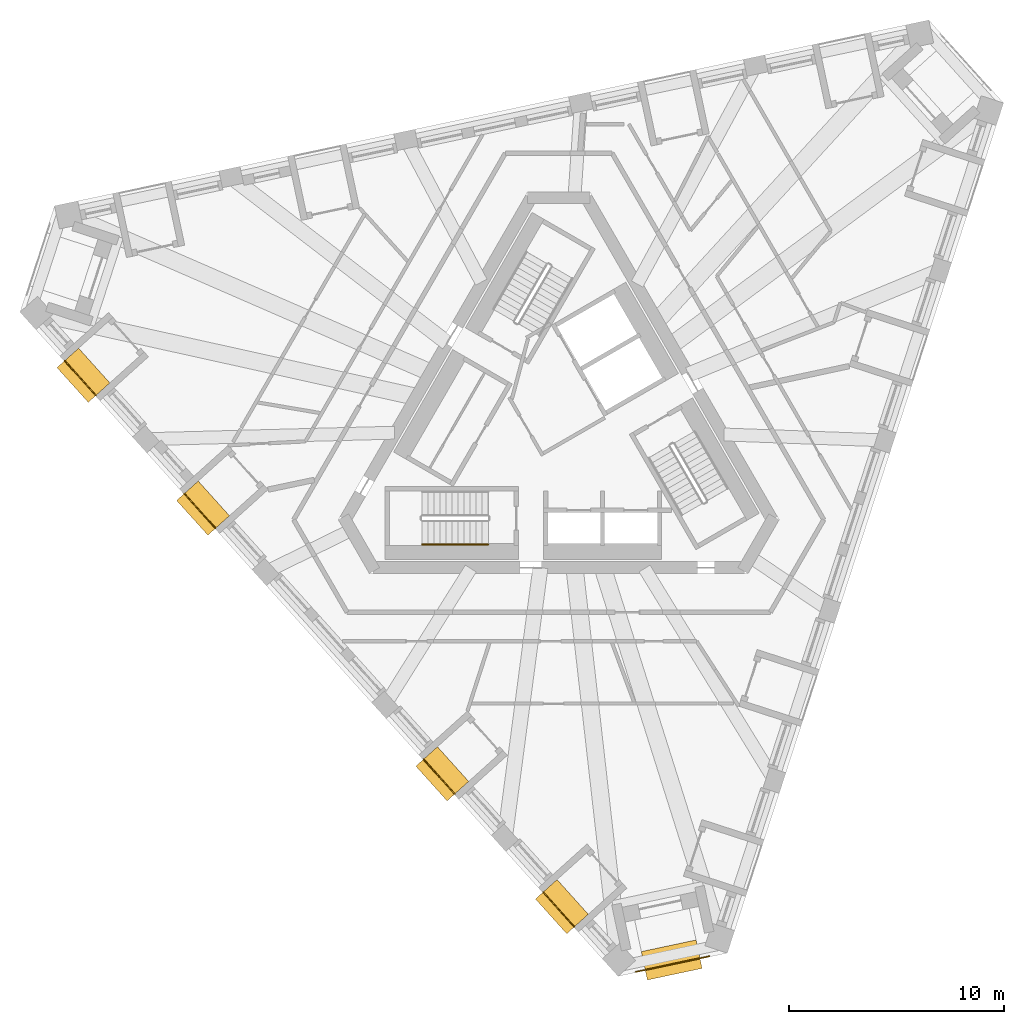
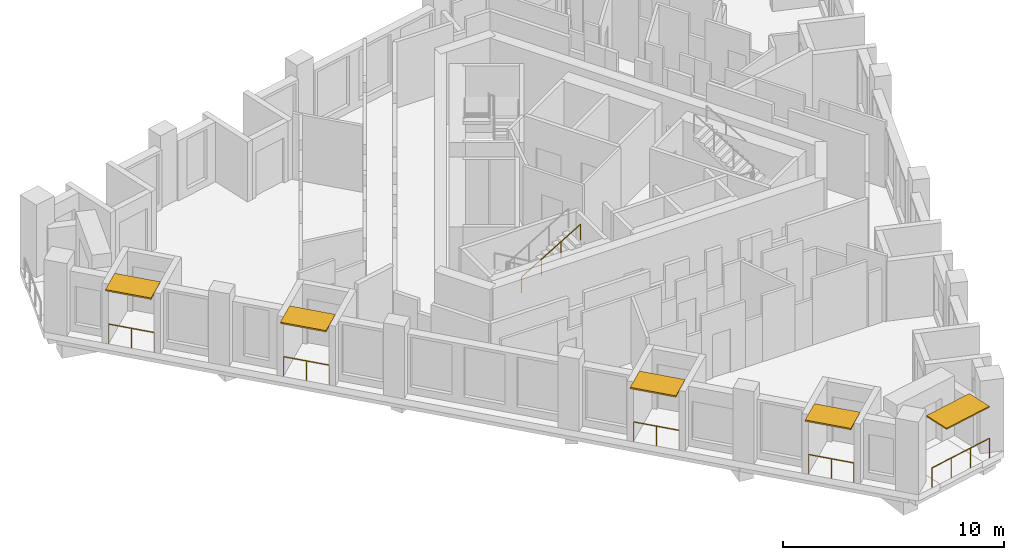
# One storey, part 9 of 12: 6 railings, 5 shading devices.
"""IFC4 building model written with IfcOpenShell, lengths in metres."""

from ifc_helpers import new_model, si_unit, direction, frame, origin, origin_2d, place, context, subcontext, project, spatial, rectangle, circle, extrude, material, layer, layer_set, type_object, element, save


model = new_model("IFC4")

# Units and contexts
model_context = context("Model", 3, precision=1e-05, world=origin(), true_north=direction((0.0, 1.0)))
body_context = subcontext(model_context, "Body", "Model", "MODEL_VIEW")
ifc_project = project(units=[si_unit("LENGTHUNIT", "METRE"), si_unit("AREAUNIT", "SQUARE_METRE"), si_unit("VOLUMEUNIT", "CUBIC_METRE"), si_unit("PLANEANGLEUNIT", "RADIAN"), si_unit("MASSUNIT", "GRAM", prefix="KILO")], contexts=[model_context])

# Site, building, storey
site_placement = place(None, origin())
site = spatial("IfcSite", under=ifc_project, at=site_placement, CompositionType="ELEMENT")
building_placement = place(site_placement, origin())
building = spatial("IfcBuilding", under=site, at=building_placement, Name="Tramontana Tower", CompositionType="ELEMENT")
storey_placement = place(building_placement, frame((0.0, 0.0, 344.39990234375)))
storey = spatial("IfcBuildingStorey", under=building, at=storey_placement, Name="L79", CompositionType="ELEMENT", Elevation=344.39990234375)

# Railings
ifc_material_1 = material(Name="Laminated glass balustrade", Category="glass")
railing_type_1 = type_object("IfcRailingType", Name="GD1 Loggia glass balustrade 1100", PredefinedType="BALUSTRADE", material=ifc_material_1)
railing_1_placement = place(storey_placement, frame((-22.977294921875, 3.146728515625, 0.0)))
element("IfcRailing", 1, at=railing_1_placement, inside=storey, type_object=railing_type_1, Name="Loggia balustrade L79 G8S0.1", PredefinedType="BALUSTRADE", context=body_context, shape_type="SweptSolid", body=[
    extrude(circle(Radius=0.02392578125, at=origin_2d()), frame((0.0, 0.0, 1.076171875), z_axis=(0.669082765552, -0.743187898745, 0.0), x_axis=(0.743187898745, 0.669082765552, 0.0)), (0.0, 0.0, 1.0), 2.171142578125),
    extrude(circle(Radius=0.02099609375, at=origin_2d()), origin(), (0.0, 0.0, 1.0), 1.052001953125),
    extrude(circle(Radius=0.02099609375, at=origin_2d()), frame((0.726318359375, -0.806640625, 0.0)), (0.0, 0.0, 1.0), 1.052001953125),
    extrude(circle(Radius=0.02099609375, at=origin_2d()), frame((1.45263671875, -1.613525390625, 0.0)), (0.0, 0.0, 1.0), 1.052001953125),
])
for number, where, name in (
    (2, (-17.414306640625, -3.03173828125, 0.0), "Loggia balustrade L79 G8S0.4"),
    (3, (-6.288330078125, -15.388427734375, 0.0), "Loggia balustrade L79 G8S0.10"),
):
    element("IfcRailing", number, at=place(storey_placement, frame(where)), inside=storey, type_object=railing_type_1, Name=name, PredefinedType="BALUSTRADE", context=body_context, shape_type="SweptSolid", body=[
        extrude(circle(Radius=0.02392578125, at=origin_2d()), frame((0.0, 0.0, 1.076171875), z_axis=(0.669144868344, -0.743131983681, 0.0), x_axis=(0.743131983681, 0.669144868344, 0.0)), (0.0, 0.0, 1.0), 2.171142578125),
        extrude(circle(Radius=0.02099609375, at=origin_2d()), origin(), (0.0, 0.0, 1.0), 1.052001953125),
        extrude(circle(Radius=0.02099609375, at=origin_2d()), frame((0.7265625, -0.806640625, 0.0)), (0.0, 0.0, 1.0), 1.052001953125),
        extrude(circle(Radius=0.02099609375, at=origin_2d()), frame((1.452880859375, -1.613525390625, 0.0)), (0.0, 0.0, 1.0), 1.052001953125),
    ])
railing_2_placement = place(storey_placement, frame((-0.72509765625, -21.56689453125, 0.0)))
element("IfcRailing", 4, at=railing_2_placement, inside=storey, type_object=railing_type_1, Name="Loggia balustrade L79 G8S0.13", PredefinedType="BALUSTRADE", context=body_context, shape_type="SweptSolid", body=[
    extrude(circle(Radius=0.02392578125, at=origin_2d()), frame((0.0, 0.0, 1.076171875), z_axis=(0.669082765552, -0.743187898745, 0.0), x_axis=(0.743187898745, 0.669082765552, 0.0)), (0.0, 0.0, 1.0), 2.171142578125),
    extrude(circle(Radius=0.02099609375, at=origin_2d()), origin(), (0.0, 0.0, 1.0), 1.052001953125),
    extrude(circle(Radius=0.02099609375, at=origin_2d()), frame((0.726318359375, -0.806640625, 0.0)), (0.0, 0.0, 1.0), 1.052001953125),
    extrude(circle(Radius=0.02099609375, at=origin_2d()), frame((1.45263671875, -1.613525390625, 0.0)), (0.0, 0.0, 1.0), 1.052001953125),
])
railing_3_placement = place(storey_placement, frame((7.00732421875, -24.549560546875, 0.0)))
element("IfcRailing", 5, at=railing_3_placement, inside=storey, type_object=railing_type_1, Name="Corner loggia balustrade L79 K81", PredefinedType="BALUSTRADE", context=body_context, shape_type="SweptSolid", body=[
    extrude(circle(Radius=0.02392578125, at=origin_2d()), frame((0.0, 0.0, 1.076171875), z_axis=(-0.978143070564, -0.20793300245, 0.0), x_axis=(0.20793300245, -0.978143070564, 0.0)), (0.0, 0.0, 1.0), 3.5),
    extrude(circle(Radius=0.02099609375, at=origin_2d()), origin(), (0.0, 0.0, 1.0), 1.052001953125),
    extrude(circle(Radius=0.02099609375, at=origin_2d()), frame((-1.14111328125, -0.24267578125, 0.0)), (0.0, 0.0, 1.0), 1.052001953125),
    extrude(circle(Radius=0.02099609375, at=origin_2d()), frame((-2.282470703125, -0.485107421875, 0.0)), (0.0, 0.0, 1.0), 1.052001953125),
    extrude(circle(Radius=0.02099609375, at=origin_2d()), frame((-3.423583984375, -0.727783203125, 0.0)), (0.0, 0.0, 1.0), 1.052001953125),
])

# Shading devices
ifc_material_2 = material(Name="Precast concrete 60 MPa", Category="concrete")
ifc_layer_1 = layer(ifc_material_2, 0.070068359375)
ifc_layer_set_1 = layer_set([ifc_layer_1], Name="SS2 Stone sunshade blade 70")
shading_device_type_1 = type_object("IfcShadingDeviceType", Name="SS2 Stone sunshade blade 70", PredefinedType="USERDEFINED", material=ifc_layer_set_1)
shading_device_placement = place(storey_placement, frame((5.2548828125, -24.72265625, 3.22998046875), z_axis=(0.0, 0.0, 1.0), x_axis=(-0.978147600734, -0.207911690818, 0.0)))
element("IfcShadingDevice", 6, at=shading_device_placement, inside=storey, type_object=shading_device_type_1, Name="Corner sunshade L79 K81", ObjectType="SUNSHADE", PredefinedType="USERDEFINED", context=body_context, shape_type="SweptSolid", body=[
    extrude(rectangle(XDim=2.60009765625, YDim=1.35009765625, at=origin_2d()), origin(), (0.0, 0.0, 1.0), 0.070068359375),
])
ifc_material_3 = material(Name="Precast concrete 60 MPa", Category="concrete")
ifc_layer_2 = layer(ifc_material_3, 0.080078125)
ifc_layer_set_2 = layer_set([ifc_layer_2], Name="SS3 Stone sunshade blade 80")
shading_device_type_2 = type_object("IfcShadingDeviceType", Name="SS3 Stone sunshade blade 80", PredefinedType="USERDEFINED", material=ifc_layer_set_2)
for number, where, z_axis, x_axis, name in (
    (7, (-22.10595703125, 2.470458984375, 3.219970703125), (0.0, 0.0, 1.0), (0.669130606359, -0.743144825477, 0.0), "Sunshade L79 G8S0.1"),
    (8, (-16.54296875, -3.7080078125, 3.219970703125), (0.0, 0.0, 1.0), (0.669130606359, -0.743144825477, 0.0), "Sunshade L79 G8S0.4"),
    (9, (-5.4169921875, -16.064697265625, 3.219970703125), (0.0, 0.0, 1.0), (0.669130606359, -0.743144825477, 0.0), "Sunshade L79 G8S0.10"),
    (10, (0.146240234375, -22.2431640625, 3.219970703125), (0.0, 0.0, 1.0), (0.669130606359, -0.743144825477, 0.0), "Sunshade L79 G8S0.13"),
):
    element("IfcShadingDevice", number, at=place(storey_placement, frame(where, z_axis=z_axis, x_axis=x_axis)), inside=storey, type_object=shading_device_type_2, Name=name, ObjectType="SUNSHADE", PredefinedType="USERDEFINED", context=body_context, shape_type="SweptSolid", body=[
        extrude(rectangle(XDim=2.17138671875, YDim=1.35009765625, at=origin_2d()), origin(), (0.0, 0.0, 1.0), 0.080078125),
    ])

# Railing
ifc_material_4 = material(Name="Painted steel", Category="steel")
railing_type_2 = type_object("IfcRailingType", Name="STAIR HANDRAIL 900", PredefinedType="HANDRAIL", material=ifc_material_4)
railing_4_placement = place(storey_placement, frame((-6.360107421875, -5.39990234375, 2.166748046875)))
element("IfcRailing", 11, at=railing_4_placement, inside=storey, type_object=railing_type_2, Name="L79 ST2 stair handrail 2", PredefinedType="HANDRAIL", context=body_context, shape_type="SweptSolid", body=[
    extrude(circle(Radius=0.02392578125, at=origin_2d()), frame((0.0, 0.0, 0.8759765625), z_axis=(0.859308565015, 0.0, 0.511457515432), x_axis=(0.0, 1.0, 0.0)), (0.0, 0.0, 1.0), 3.58447265625),
    extrude(circle(Radius=0.02099609375, at=origin_2d()), origin(), (0.0, 0.0, 1.0), 0.851806640625),
    extrude(circle(Radius=0.02099609375, at=origin_2d()), frame((1.026611328125, 0.0, 0.611083984375)), (0.0, 0.0, 1.0), 0.851806640625),
    extrude(circle(Radius=0.02099609375, at=origin_2d()), frame((2.053466796875, 0.0, 1.22216796875)), (0.0, 0.0, 1.0), 0.851806640625),
    extrude(circle(Radius=0.02099609375, at=origin_2d()), frame((3.080078125, 0.0, 1.833251953125)), (0.0, 0.0, 1.0), 0.851806640625),
])

save(model, "model.ifc")
